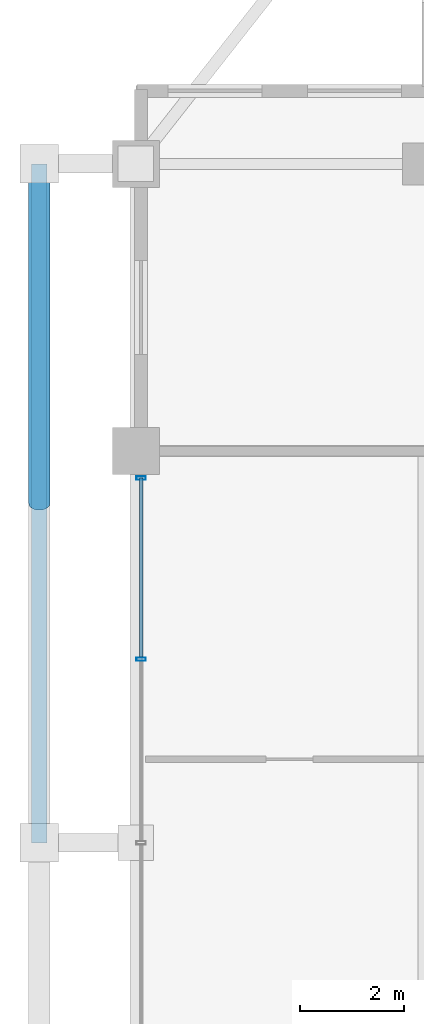
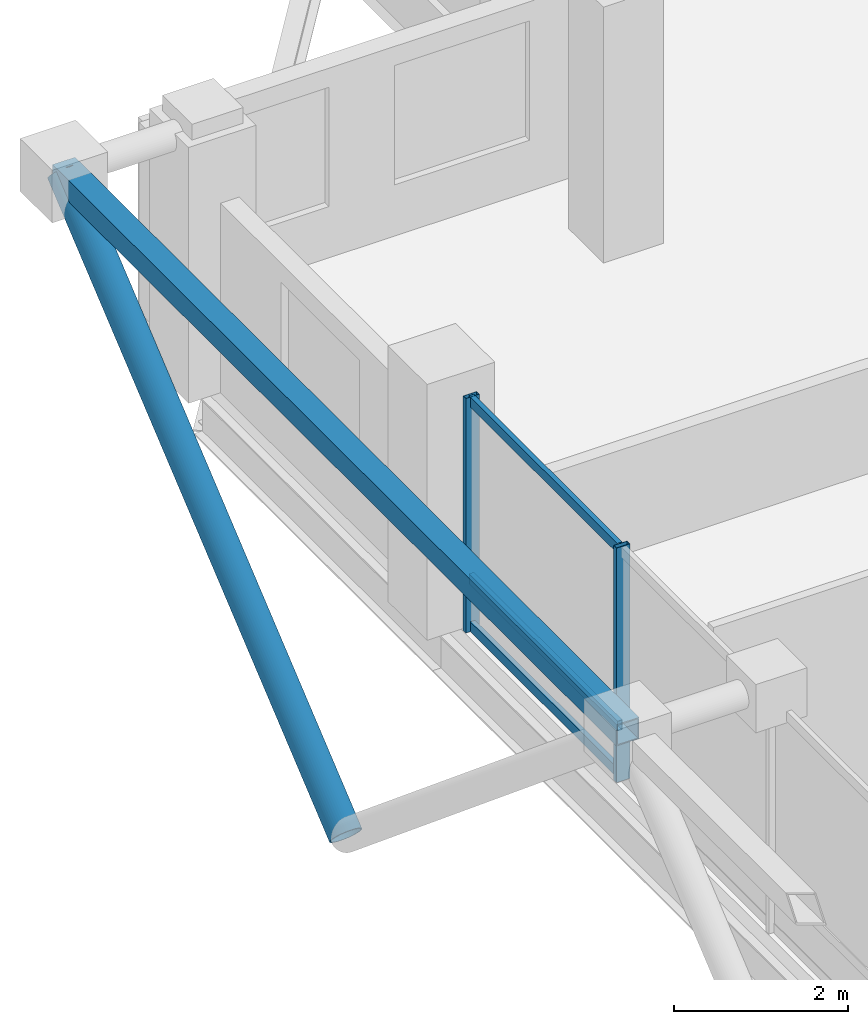
# One storey, part 10 of 25: 7 members, 1 element without a shape of its own.
"""IFC4 building model written with IfcOpenShell, lengths in metres."""

from ifc_helpers import new_model, si_unit, direction, frame, origin, origin_2d, place, context, subcontext, project, spatial, hollow_rectangle, hollow_circle, extrude, material, layer, layer_set, material_profile, profile_set, type_object, element, aggregate, save


model = new_model("IFC4")

# Units and contexts
model_context = context("Model", 3, precision=1e-05, world=origin(), true_north=direction((0.0, 1.0)))
body_context = subcontext(model_context, "Body", "Model", "MODEL_VIEW")
ifc_project = project(units=[si_unit("LENGTHUNIT", "METRE"), si_unit("AREAUNIT", "SQUARE_METRE"), si_unit("VOLUMEUNIT", "CUBIC_METRE"), si_unit("PLANEANGLEUNIT", "RADIAN"), si_unit("MASSUNIT", "GRAM", prefix="KILO")], contexts=[model_context])

# Site, building, storey
site_placement = place(None, origin())
site = spatial("IfcSite", under=ifc_project, at=site_placement, CompositionType="ELEMENT")
building_placement = place(site_placement, origin())
building = spatial("IfcBuilding", under=site, at=building_placement, Name="Barlavira Tower and Art Museum", CompositionType="ELEMENT")
storey_placement = place(building_placement, frame((0.0, 0.0, 301.5)))
storey = spatial("IfcBuildingStorey", under=building, at=storey_placement, Name="L79", CompositionType="ELEMENT", Elevation=301.5)

# Curtain wall, members
ifc_material_1 = material(Name="Low-iron coastal laminated glass", Category="glass")
ifc_layer = layer(ifc_material_1, 0.2099609375, Name="Low-iron coastal laminated glass")
ifc_layer_set = layer_set([ifc_layer], Name="Low-iron coastal laminated glass")
curtain_wall_type = type_object("IfcCurtainWallType", Name="Pale-Metal Unitised Curtain Wall Zone 4", PredefinedType="NOTDEFINED", material=ifc_layer_set)
curtain_wall_placement = place(storey_placement, origin())
curtain_wall = element("IfcCurtainWall", 1, at=curtain_wall_placement, inside=storey, type_object=curtain_wall_type, Name="L79 Curtain Wall CW4-L79-W-B3", PredefinedType="NOTDEFINED")
ifc_material_2 = material(Name="Pale anodised aluminium", Category="aluminium")
ifc_material_profile_1 = material_profile(ifc_material_2, hollow_rectangle(XDim=0.06494140625, YDim=0.179931640625, WallThickness=0.00390625, at=origin_2d()), Name="ALU-MULL 65x180x4")
ifc_profile_set_1 = profile_set([ifc_material_profile_1], Name="Pale anodised aluminium")
member_type_1 = type_object("IfcMemberType", Name="Curtain Wall Pale-Metal Mullion 65x180", PredefinedType="MULLION", material=ifc_profile_set_1)
member_1_placement = place(storey_placement, frame((-16.89990234375, 6.985107421875, 0.0), z_axis=(0.0, 0.0, 1.0), x_axis=(0.0, -1.0, 0.0)))
member_1 = element("IfcMember", 2, at=member_1_placement, type_object=member_type_1, Name="CW4-L79-W-B3 Mullion 0", PredefinedType="MULLION", context=body_context, shape_type="SweptSolid", body=[
    extrude(hollow_rectangle(XDim=0.06494140625, YDim=0.179931640625, WallThickness=0.00390625, at=origin_2d()), origin(), (0.0, 0.0, 1.0), 3.300048828125),
])
member_2_placement = place(storey_placement, frame((-16.89990234375, 3.514892578125, 0.0), z_axis=(0.0, 0.0, 1.0), x_axis=(0.0, -1.0, 0.0)))
member_2 = element("IfcMember", 3, at=member_2_placement, type_object=member_type_1, Name="CW4-L79-W-B3 Mullion 1", PredefinedType="MULLION", context=body_context, shape_type="SweptSolid", body=[
    extrude(hollow_rectangle(XDim=0.06494140625, YDim=0.179931640625, WallThickness=0.00390625, at=origin_2d()), origin(), (0.0, 0.0, 1.0), 3.300048828125),
])
ifc_material_profile_2 = material_profile(ifc_material_2, hollow_rectangle(XDim=0.06494140625, YDim=0.139892578125, WallThickness=0.00390625, at=origin_2d()), Name="ALU-TRAN 65x140x4")
ifc_profile_set_2 = profile_set([ifc_material_profile_2], Name="Pale anodised aluminium")
member_type_2 = type_object("IfcMemberType", Name="Curtain Wall Pale-Metal Transom 65x140", PredefinedType="USERDEFINED", material=ifc_profile_set_2)
member_3_placement = place(storey_placement, frame((-16.89990234375, 6.985107421875, 0.070068359375), z_axis=(0.0, -1.0, 0.0), x_axis=(1.0, 0.0, 0.0)))
member_3 = element("IfcMember", 4, at=member_3_placement, type_object=member_type_2, Name="CW4-L79-W-B3 Transom 0.1", ObjectType="TRANSOM", PredefinedType="USERDEFINED", context=body_context, shape_type="SweptSolid", body=[
    extrude(hollow_rectangle(XDim=0.06494140625, YDim=0.139892578125, WallThickness=0.00390625, at=origin_2d()), origin(), (0.0, 0.0, 1.0), 3.425048828125),
])
member_4_placement = place(storey_placement, frame((-16.89990234375, 6.985107421875, 0.72607421875), z_axis=(0.0, -1.0, 0.0), x_axis=(1.0, 0.0, 0.0)))
member_4 = element("IfcMember", 5, at=member_4_placement, type_object=member_type_2, Name="CW4-L79-W-B3 Transom 0.2", ObjectType="TRANSOM", PredefinedType="USERDEFINED", context=body_context, shape_type="SweptSolid", body=[
    extrude(hollow_rectangle(XDim=0.06494140625, YDim=0.139892578125, WallThickness=0.00390625, at=origin_2d()), origin(), (0.0, 0.0, 1.0), 3.425048828125),
])
member_5_placement = place(storey_placement, frame((-16.89990234375, 6.985107421875, 3.22998046875), z_axis=(0.0, -1.0, 0.0), x_axis=(1.0, 0.0, 0.0)))
member_5 = element("IfcMember", 6, at=member_5_placement, type_object=member_type_2, Name="CW4-L79-W-B3 Transom 0.3", ObjectType="TRANSOM", PredefinedType="USERDEFINED", context=body_context, shape_type="SweptSolid", body=[
    extrude(hollow_rectangle(XDim=0.06494140625, YDim=0.139892578125, WallThickness=0.00390625, at=origin_2d()), origin(), (0.0, 0.0, 1.0), 3.425048828125),
])
aggregate(curtain_wall, [member_1, member_2, member_3, member_4, member_5])

# Members
ifc_material_3 = material(Name="Steel S355", Category="steel")
ifc_material_profile_3 = material_profile(ifc_material_3, hollow_circle(Radius=0.203125, WallThickness=0.01611328125, at=origin_2d()), Name="CHS 406.4x16.0")
ifc_profile_set_3 = profile_set([ifc_material_profile_3], Name="Steel S355")
member_type_3 = type_object("IfcMemberType", Name="Pale-Metal Exoskeleton Diagrid Tube CHS 406x16 Steel S355", PredefinedType="BRACE", material=ifc_profile_set_3)
member_6_placement = place(storey_placement, frame((-18.85009765625, 6.5, -1.919921875), z_axis=(0.0, 0.769196053329, 0.639012857104), x_axis=(-1.0, 0.0, 0.0)))
element("IfcMember", 7, at=member_6_placement, inside=storey, type_object=member_type_3, Name="L79 Exoskeleton Diagrid Tube W", PredefinedType="BRACE", context=body_context, shape_type="SweptSolid", body=[
    extrude(hollow_circle(Radius=0.203125, WallThickness=0.01611328125, at=origin_2d()), origin(), (0.0, 0.0, 1.0), 8.450439453125),
])
ifc_material_profile_4 = material_profile(ifc_material_3, hollow_rectangle(XDim=0.300048828125, YDim=0.300048828125, WallThickness=0.01611328125, at=origin_2d()), Name="SHS 300x300x16.0")
ifc_profile_set_4 = profile_set([ifc_material_profile_4], Name="Steel S355")
member_type_4 = type_object("IfcMemberType", Name="Pale-Metal Upper Ring Strut SHS 300x300x16 Steel S355", PredefinedType="STRUT", material=ifc_profile_set_4)
member_7_placement = place(storey_placement, frame((-18.85009765625, 0.0, 3.47998046875), z_axis=(0.0, 1.0, 0.0), x_axis=(-1.0, 0.0, 0.0)))
element("IfcMember", 8, at=member_7_placement, inside=storey, type_object=member_type_4, Name="L79 Exoskeleton Top Ring Strut W", PredefinedType="STRUT", context=body_context, shape_type="SweptSolid", body=[
    extrude(hollow_rectangle(XDim=0.300048828125, YDim=0.300048828125, WallThickness=0.01611328125, at=origin_2d()), origin(), (0.0, 0.0, 1.0), 13.0),
])

save(model, "model.ifc")
